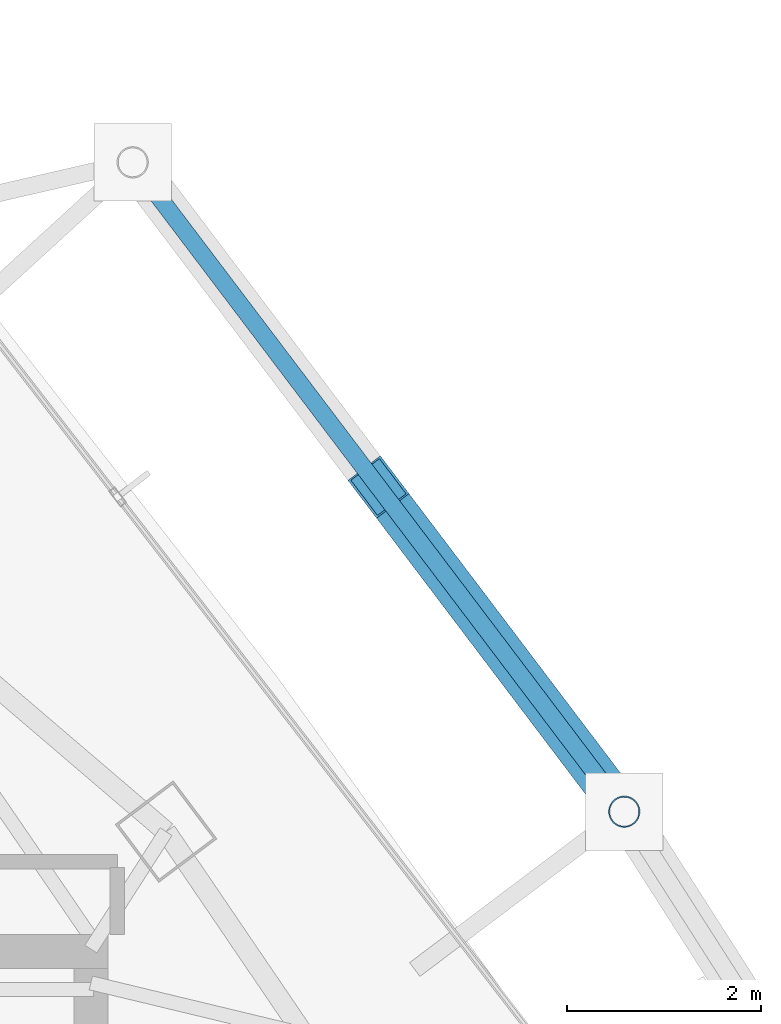
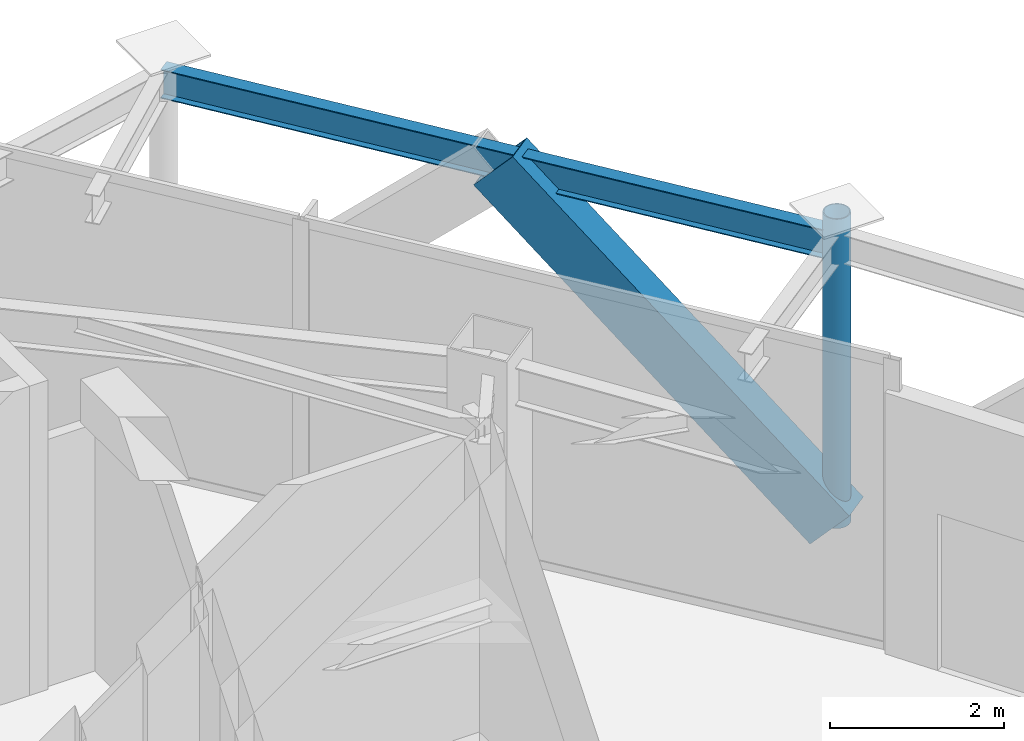
# One storey, part 19 of 25: 2 members, 1 beam.
"""IFC4 building model written with IfcOpenShell, lengths in metres."""

import ifcopenshell
import ifcopenshell.guid

model = None  # the IFC model being written
_history = None  # IfcOwnerHistory: only IFC2X3 demands one
_inside = {}  # id of a spatial element -> (the spatial element, [elements in it])
_under = {}  # id of a project, library or spatial element -> (it, [spatial elements below it])
_declared = {}  # id of a project -> (the project, [libraries it declares])
_typed = {}  # id of a type object -> (the type object, [elements of that type])
_made_of = {}  # id of a material, layer set ... -> (it, [elements and type objects made of it])


def new_model(schema):
    """Start an empty IFC model of exactly this schema.

    Asked for "IFC4X3", IfcOpenShell would pick the latest addendum, in which some entities
    have other attributes; the version numbers below select the first issue.
    IFC2X3 requires an IfcOwnerHistory on every rooted entity: one is made here for all.
    """
    global model, _history
    if schema == "IFC4X3":
        model = ifcopenshell.file(schema_version=(4, 3, 0, 0))
    else:
        model = ifcopenshell.file(schema=schema)
    _inside.clear()
    _under.clear()
    _declared.clear()
    _typed.clear()
    _made_of.clear()
    _history = None
    if model.schema == "IFC2X3":
        org = make("IfcOrganization", Name="unknown")
        user = make(
            "IfcPersonAndOrganization",
            ThePerson=make("IfcPerson", FamilyName="unknown"),
            TheOrganization=org,
        )
        app = make(
            "IfcApplication",
            ApplicationDeveloper=org,
            Version="unknown",
            ApplicationFullName="unknown",
            ApplicationIdentifier="unknown",
        )
        _history = make(
            "IfcOwnerHistory",
            OwningUser=user,
            OwningApplication=app,
            ChangeAction="ADDED",
            CreationDate=0,
        )
    return model


def make(cls, **values):
    """One entity of the class cls with the attributes given. An attribute that is None is left unset."""
    return model.create_entity(
        cls, **{name: value for name, value in values.items() if value is not None}
    )


def rooted(cls, **values):
    """An entity with a GlobalId (a new one), such as an element, a storey or a relation."""
    return make(cls, GlobalId=ifcopenshell.guid.new(), OwnerHistory=_history, **values)


def si_unit(unit_type, name, prefix=None):
    """IfcSIUnit, for example si_unit("LENGTHUNIT", "METRE", prefix="MILLI")."""
    return make("IfcSIUnit", UnitType=unit_type, Prefix=prefix, Name=name)


def assignment(units):
    """IfcUnitAssignment: the units of a project."""
    return None if units is None else make("IfcUnitAssignment", Units=units)


def point(xyz):
    """IfcCartesianPoint."""
    return None if xyz is None else make("IfcCartesianPoint", Coordinates=xyz)


def direction(xyz):
    """IfcDirection."""
    return None if xyz is None else make("IfcDirection", DirectionRatios=xyz)


def frame(location, z_axis=None, x_axis=None):
    """IfcAxis2Placement3D, a coordinate frame: its origin and axes. An axis left out is left unset."""
    return make(
        "IfcAxis2Placement3D",
        Location=point(location),
        Axis=direction(z_axis),
        RefDirection=direction(x_axis),
    )


def frame_2d(location, x_axis=None):
    """IfcAxis2Placement2D, a coordinate frame in the plane: its origin and x axis."""
    return make(
        "IfcAxis2Placement2D", Location=point(location), RefDirection=direction(x_axis)
    )


def origin():
    """The frame at (0, 0, 0) with its axes left unset."""
    return frame((0.0, 0.0, 0.0))


def origin_2d():
    """The frame at (0, 0) in the plane with its x axis left unset."""
    return frame_2d((0.0, 0.0))


def place(relative_to, where):
    """IfcLocalPlacement: puts the frame where relative to a parent placement (None: the world)."""
    return make(
        "IfcLocalPlacement", PlacementRelTo=relative_to, RelativePlacement=where
    )


def context(
    kind, dimensions, precision=None, world=None, true_north=None, identifier=None
):
    """IfcGeometricRepresentationContext, for example the 3D "Model" context."""
    return make(
        "IfcGeometricRepresentationContext",
        ContextIdentifier=identifier,
        ContextType=kind,
        CoordinateSpaceDimension=dimensions,
        Precision=precision,
        WorldCoordinateSystem=world,
        TrueNorth=true_north,
    )


def subcontext(parent, identifier, kind, view, scale=None):
    """IfcGeometricRepresentationSubContext, for example "Body" below "Model"."""
    return make(
        "IfcGeometricRepresentationSubContext",
        ContextIdentifier=identifier,
        ContextType=kind,
        ParentContext=parent,
        TargetScale=scale,
        TargetView=view,
    )


def project(units=None, contexts=None):
    """IfcProject with its units and contexts."""
    return rooted(
        "IfcProject",
        Name="project",
        RepresentationContexts=contexts,
        UnitsInContext=assignment(units),
    )


def spatial(cls, under=None, at=None, **own):
    """A site, building, storey or space (cls), placed at a placement, below another one or the project."""
    s = rooted(cls, ObjectPlacement=at, **own)
    if under is not None:
        _under.setdefault(under.id(), (under, []))[1].append(s)
    return s


def profile(cls, at=None, kind="AREA", **sizes):
    """A parametric profile (cls). Its sizes go by their IFC names, for example OverallWidth=200.0."""
    return make(cls, ProfileType=kind, Position=at, **sizes)


def hollow_rectangle(**sizes):
    """IfcRectangleHollowProfileDef."""
    return profile("IfcRectangleHollowProfileDef", **sizes)


def hollow_circle(**sizes):
    """IfcCircleHollowProfileDef."""
    return profile("IfcCircleHollowProfileDef", **sizes)


def i_section(**sizes):
    """IfcIShapeProfileDef."""
    return profile("IfcIShapeProfileDef", **sizes)


def extrude(swept, where, along, depth):
    """IfcExtrudedAreaSolid: the profile swept, set in the frame where, extruded along a direction by depth."""
    return make(
        "IfcExtrudedAreaSolid",
        SweptArea=swept,
        Position=where,
        ExtrudedDirection=direction(along),
        Depth=depth,
    )


def shape(context_of_items, identifier, shape_type, items):
    """IfcShapeRepresentation: the items that make up one representation, for example the "Body"."""
    return make(
        "IfcShapeRepresentation",
        ContextOfItems=context_of_items,
        RepresentationIdentifier=identifier,
        RepresentationType=shape_type,
        Items=items,
    )


def material(Name=None, Category=None):
    """IfcMaterial."""
    return make("IfcMaterial", Name=Name, Category=Category)


def material_profile(
    of_material, cross_section, Name=None, Category=None, Priority=None
):
    """IfcMaterialProfile: a cross section and its material."""
    return make(
        "IfcMaterialProfile",
        Name=Name,
        Material=of_material,
        Profile=cross_section,
        Priority=Priority,
        Category=Category,
    )


def profile_set(profiles, Name=None, composite=None):
    """IfcMaterialProfileSet."""
    return make(
        "IfcMaterialProfileSet",
        Name=Name,
        MaterialProfiles=profiles,
        CompositeProfile=composite,
    )


def made_of(thing, what):
    """Note that an element or type object is made of a material, layer set ...; save() writes the relation."""
    if what is not None:
        _made_of.setdefault(what.id(), (what, []))[1].append(thing)
    return thing


def type_object(cls, material=None, **own):
    """A type object (cls), such as IfcWallType, which elements share."""
    return made_of(rooted(cls, **own), material)


def element(
    cls,
    number,
    at=None,
    inside=None,
    cuts=None,
    type_object=None,
    material=None,
    context=None,
    identifier="Body",
    shape_type=None,
    held_by="IfcProductDefinitionShape",
    body=None,
    shapes=None,
    **own,
):
    """One element of the class cls, such as IfcWall. Its Tag is "e" and its number.

    at: its placement. inside: the storey or other place that contains it. cuts: it is an
    opening in that element (IfcRelVoidsElement). A single representation is given by context,
    identifier, shape_type and body (its items); several are given by shapes. held_by: the class
    of the entity that holds the representations. save() writes the other relations.
    """
    e = rooted(cls, Tag="e%d" % number, ObjectPlacement=at, **own)
    if body is not None:
        shapes = [shape(context, identifier, shape_type, body)]
    if shapes is not None:
        e.Representation = make(held_by, Representations=shapes)
    if inside is not None:
        _inside.setdefault(inside.id(), (inside, []))[1].append(e)
    if cuts is not None:
        rooted(
            "IfcRelVoidsElement", RelatingBuildingElement=cuts, RelatedOpeningElement=e
        )
    if type_object is not None:
        _typed.setdefault(type_object.id(), (type_object, []))[1].append(e)
    return made_of(e, material)


def aggregate(whole, parts):
    """IfcRelAggregates: a whole, such as a stair, and the parts it consists of."""
    return rooted("IfcRelAggregates", RelatingObject=whole, RelatedObjects=parts)


def save(model, path):
    """Write the relations noted so far, then the file.

    IfcRelAggregates (storeys below a building ...), IfcRelContainedInSpatialStructure (elements
    in a storey), IfcRelDefinesByType, IfcRelAssociatesMaterial and IfcRelDeclares: one each for
    every whole, place, type object, material and project.
    """
    for whole, parts in _under.values():
        aggregate(whole, parts)
    for where, things in _inside.values():
        rooted(
            "IfcRelContainedInSpatialStructure",
            RelatedElements=things,
            RelatingStructure=where,
        )
    for kind, things in _typed.values():
        rooted("IfcRelDefinesByType", RelatedObjects=things, RelatingType=kind)
    for what, things in _made_of.values():
        rooted("IfcRelAssociatesMaterial", RelatedObjects=things, RelatingMaterial=what)
    for by, libraries in _declared.values():
        rooted("IfcRelDeclares", RelatingContext=by, RelatedDefinitions=libraries)
    model.write(path)


model = new_model("IFC4")

# Units and contexts
model_context = context("Model", 3, precision=1e-05, world=origin(), true_north=direction((0.0, 1.0)))
body_context = subcontext(model_context, "Body", "Model", "MODEL_VIEW")
ifc_project = project(units=[si_unit("LENGTHUNIT", "METRE"), si_unit("AREAUNIT", "SQUARE_METRE"), si_unit("VOLUMEUNIT", "CUBIC_METRE"), si_unit("PLANEANGLEUNIT", "RADIAN"), si_unit("MASSUNIT", "GRAM", prefix="KILO")], contexts=[model_context])

# Site, building, storey
site_placement = place(None, origin())
site = spatial("IfcSite", under=ifc_project, at=site_placement, CompositionType="ELEMENT")
building_placement = place(site_placement, origin())
building = spatial("IfcBuilding", under=site, at=building_placement, Name="Orvanel Arch Residences", CompositionType="ELEMENT")
storey_placement = place(building_placement, frame((0.0, 0.0, 236.0)))
storey = spatial("IfcBuildingStorey", under=building, at=storey_placement, Name="L67", CompositionType="ELEMENT", Elevation=236.0)

# Member
ifc_material_1 = material(Name="Structural steel AS/NZS 3678 Grade 350", Category="steel")
ifc_material_profile_1 = material_profile(ifc_material_1, hollow_rectangle(XDim=0.419921875, YDim=0.719970703125, WallThickness=0.02490234375, at=origin_2d()), Name="RHS720x420x25")
ifc_profile_set_1 = profile_set([ifc_material_profile_1], Name="Structural steel AS/NZS 3678 Grade 350")
member_type_1 = type_object("IfcMemberType", Name="BR-720RHS-EXT", PredefinedType="BRACE", material=ifc_profile_set_1)
member_1_placement = place(storey_placement, frame((45.0869140625, 35.319091796875, 0.0), z_axis=(-0.442316182846, 0.584284243456, 0.680417752003), x_axis=(-0.797304509931, -0.603577267997, 0.0)))
element("IfcMember", 1, at=member_1_placement, inside=storey, type_object=member_type_1, Name="L67 Exterior Sky-Garden V-Frame Chevron F3B3.1", PredefinedType="BRACE", context=body_context, shape_type="SweptSolid", body=[
    extrude(hollow_rectangle(XDim=0.419921875, YDim=0.719970703125, WallThickness=0.02490234375, at=origin_2d()), origin(), (0.0, 0.0, 1.0), 5.741943359375),
])

# Beam
ifc_material_2 = material(Name="Structural steel AS/NZS 3679.1 Grade 300 (300 MPa)", Category="steel")
ifc_material_profile_2 = material_profile(ifc_material_2, i_section(OverallWidth=0.177978515625, OverallDepth=0.406005859375, WebThickness=0.0078125, FlangeThickness=0.0126953125, at=origin_2d()), Name="410UB59.7")
ifc_profile_set_2 = profile_set([ifc_material_profile_2], Name="Structural steel AS/NZS 3679.1 Grade 300 (300 MPa)")
beam_type = type_object("IfcBeamType", Name="OB-410UB-EXT", PredefinedType="SPANDREL", material=ifc_profile_set_2)
beam_placement = place(storey_placement, frame((45.0869140625, 35.319091796875, 3.906982421875), z_axis=(-0.603595708863, 0.79729054945, 0.0), x_axis=(-0.79729054945, -0.603595708863, 0.0)))
element("IfcBeam", 2, at=beam_placement, inside=storey, type_object=beam_type, Name="L67 Outer Perimeter Floor Ring Beam 11", PredefinedType="SPANDREL", context=body_context, shape_type="SweptSolid", body=[
    extrude(i_section(OverallWidth=0.177978515625, OverallDepth=0.406005859375, WebThickness=0.0078125, FlangeThickness=0.0126953125, at=origin_2d()), origin(), (0.0, 0.0, 1.0), 8.416015625),
])

# Member
ifc_material_3 = material(Name="Structural steel AS/NZS 1163 C350L0 (Grade 350)", Category="steel")
ifc_material_profile_3 = material_profile(ifc_material_3, hollow_circle(Radius=0.162109375, WallThickness=0.0126953125, at=origin_2d()), Name="CHS324x12.7")
ifc_profile_set_3 = profile_set([ifc_material_profile_3], Name="Structural steel AS/NZS 1163 C350L0 (Grade 350)")
member_type_2 = type_object("IfcMemberType", Name="ST-324CHS-EXT", PredefinedType="STRUT", material=ifc_profile_set_3)
member_2_placement = place(storey_placement, frame((45.0869140625, 35.319091796875, 0.0), z_axis=(0.0, 0.0, 1.0), x_axis=(1.0, 0.0, 0.0)))
element("IfcMember", 3, at=member_2_placement, inside=storey, type_object=member_type_2, Name="L67 Outer Perimeter Frame Post 11", PredefinedType="STRUT", context=body_context, shape_type="SweptSolid", body=[
    extrude(hollow_circle(Radius=0.162109375, WallThickness=0.0126953125, at=origin_2d()), origin(), (0.0, 0.0, 1.0), 4.35009765625),
])

save(model, "model.ifc")
